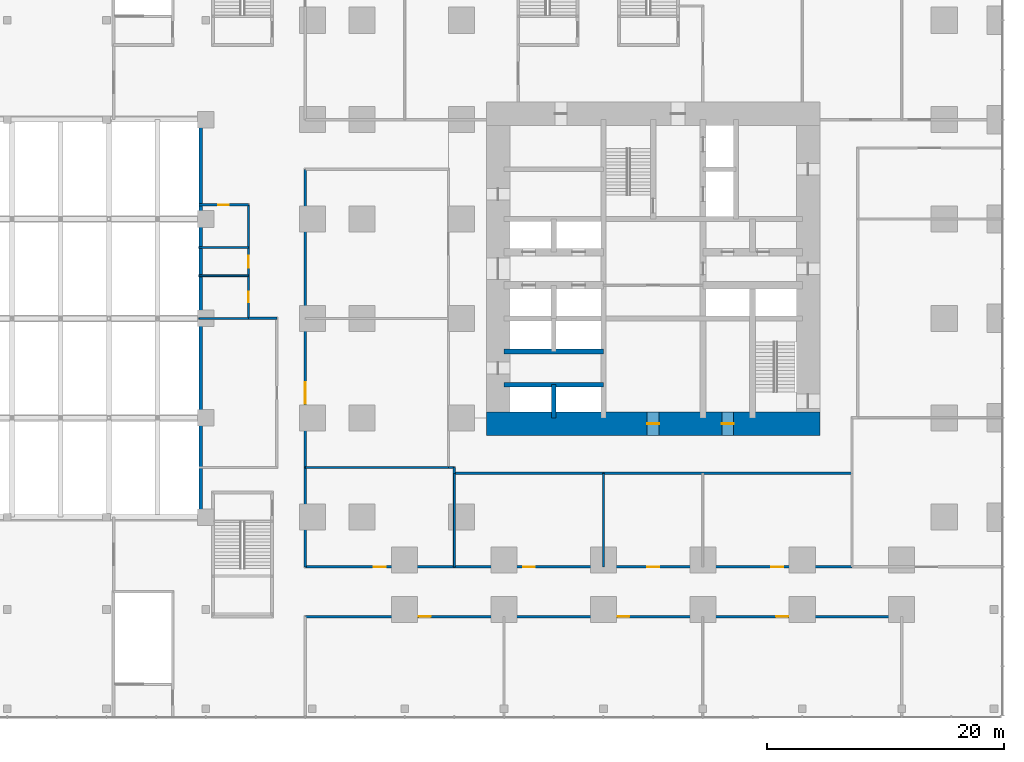
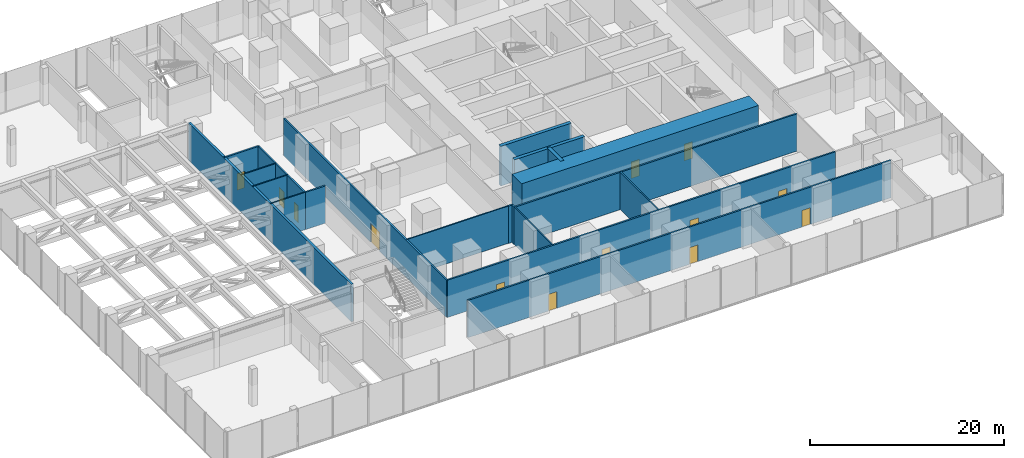
# One storey, part 26 of 33: 20 walls, 13 doors, 13 openings.
"""IFC4 building model written with IfcOpenShell, lengths in metres."""

import ifcopenshell
import ifcopenshell.guid

model = None  # the IFC model being written
_history = None  # IfcOwnerHistory: only IFC2X3 demands one
_inside = {}  # id of a spatial element -> (the spatial element, [elements in it])
_under = {}  # id of a project, library or spatial element -> (it, [spatial elements below it])
_declared = {}  # id of a project -> (the project, [libraries it declares])
_typed = {}  # id of a type object -> (the type object, [elements of that type])
_made_of = {}  # id of a material, layer set ... -> (it, [elements and type objects made of it])


def new_model(schema):
    """Start an empty IFC model of exactly this schema.

    Asked for "IFC4X3", IfcOpenShell would pick the latest addendum, in which some entities
    have other attributes; the version numbers below select the first issue.
    IFC2X3 requires an IfcOwnerHistory on every rooted entity: one is made here for all.
    """
    global model, _history
    if schema == "IFC4X3":
        model = ifcopenshell.file(schema_version=(4, 3, 0, 0))
    else:
        model = ifcopenshell.file(schema=schema)
    _inside.clear()
    _under.clear()
    _declared.clear()
    _typed.clear()
    _made_of.clear()
    _history = None
    if model.schema == "IFC2X3":
        org = make("IfcOrganization", Name="unknown")
        user = make(
            "IfcPersonAndOrganization",
            ThePerson=make("IfcPerson", FamilyName="unknown"),
            TheOrganization=org,
        )
        app = make(
            "IfcApplication",
            ApplicationDeveloper=org,
            Version="unknown",
            ApplicationFullName="unknown",
            ApplicationIdentifier="unknown",
        )
        _history = make(
            "IfcOwnerHistory",
            OwningUser=user,
            OwningApplication=app,
            ChangeAction="ADDED",
            CreationDate=0,
        )
    return model


def make(cls, **values):
    """One entity of the class cls with the attributes given. An attribute that is None is left unset."""
    return model.create_entity(
        cls, **{name: value for name, value in values.items() if value is not None}
    )


def rooted(cls, **values):
    """An entity with a GlobalId (a new one), such as an element, a storey or a relation."""
    return make(cls, GlobalId=ifcopenshell.guid.new(), OwnerHistory=_history, **values)


def si_unit(unit_type, name, prefix=None):
    """IfcSIUnit, for example si_unit("LENGTHUNIT", "METRE", prefix="MILLI")."""
    return make("IfcSIUnit", UnitType=unit_type, Prefix=prefix, Name=name)


def assignment(units):
    """IfcUnitAssignment: the units of a project."""
    return None if units is None else make("IfcUnitAssignment", Units=units)


def point(xyz):
    """IfcCartesianPoint."""
    return None if xyz is None else make("IfcCartesianPoint", Coordinates=xyz)


def direction(xyz):
    """IfcDirection."""
    return None if xyz is None else make("IfcDirection", DirectionRatios=xyz)


def frame(location, z_axis=None, x_axis=None):
    """IfcAxis2Placement3D, a coordinate frame: its origin and axes. An axis left out is left unset."""
    return make(
        "IfcAxis2Placement3D",
        Location=point(location),
        Axis=direction(z_axis),
        RefDirection=direction(x_axis),
    )


def frame_2d(location, x_axis=None):
    """IfcAxis2Placement2D, a coordinate frame in the plane: its origin and x axis."""
    return make(
        "IfcAxis2Placement2D", Location=point(location), RefDirection=direction(x_axis)
    )


def origin():
    """The frame at (0, 0, 0) with its axes left unset."""
    return frame((0.0, 0.0, 0.0))


def origin_with_axes():
    """The frame at (0, 0, 0) with the z axis (0, 0, 1) and the x axis (1, 0, 0) written out."""
    return frame((0.0, 0.0, 0.0), z_axis=(0.0, 0.0, 1.0), x_axis=(1.0, 0.0, 0.0))


def place(relative_to, where):
    """IfcLocalPlacement: puts the frame where relative to a parent placement (None: the world)."""
    return make(
        "IfcLocalPlacement", PlacementRelTo=relative_to, RelativePlacement=where
    )


def context(
    kind, dimensions, precision=None, world=None, true_north=None, identifier=None
):
    """IfcGeometricRepresentationContext, for example the 3D "Model" context."""
    return make(
        "IfcGeometricRepresentationContext",
        ContextIdentifier=identifier,
        ContextType=kind,
        CoordinateSpaceDimension=dimensions,
        Precision=precision,
        WorldCoordinateSystem=world,
        TrueNorth=true_north,
    )


def subcontext(parent, identifier, kind, view, scale=None):
    """IfcGeometricRepresentationSubContext, for example "Body" below "Model"."""
    return make(
        "IfcGeometricRepresentationSubContext",
        ContextIdentifier=identifier,
        ContextType=kind,
        ParentContext=parent,
        TargetScale=scale,
        TargetView=view,
    )


def project(units=None, contexts=None):
    """IfcProject with its units and contexts."""
    return rooted(
        "IfcProject",
        Name="project",
        RepresentationContexts=contexts,
        UnitsInContext=assignment(units),
    )


def spatial(cls, under=None, at=None, **own):
    """A site, building, storey or space (cls), placed at a placement, below another one or the project."""
    s = rooted(cls, ObjectPlacement=at, **own)
    if under is not None:
        _under.setdefault(under.id(), (under, []))[1].append(s)
    return s


def profile(cls, at=None, kind="AREA", **sizes):
    """A parametric profile (cls). Its sizes go by their IFC names, for example OverallWidth=200.0."""
    return make(cls, ProfileType=kind, Position=at, **sizes)


def rectangle(**sizes):
    """IfcRectangleProfileDef."""
    return profile("IfcRectangleProfileDef", **sizes)


def extrude(swept, where, along, depth):
    """IfcExtrudedAreaSolid: the profile swept, set in the frame where, extruded along a direction by depth."""
    return make(
        "IfcExtrudedAreaSolid",
        SweptArea=swept,
        Position=where,
        ExtrudedDirection=direction(along),
        Depth=depth,
    )


def shape(context_of_items, identifier, shape_type, items):
    """IfcShapeRepresentation: the items that make up one representation, for example the "Body"."""
    return make(
        "IfcShapeRepresentation",
        ContextOfItems=context_of_items,
        RepresentationIdentifier=identifier,
        RepresentationType=shape_type,
        Items=items,
    )


def material(Name=None, Category=None):
    """IfcMaterial."""
    return make("IfcMaterial", Name=Name, Category=Category)


def layer(
    of_material, thickness, ventilated=None, Name=None, Category=None, Priority=None
):
    """IfcMaterialLayer: one layer of a wall or slab, of a material (None: an air gap)."""
    return make(
        "IfcMaterialLayer",
        Material=of_material,
        LayerThickness=thickness,
        IsVentilated=ventilated,
        Name=Name,
        Category=Category,
        Priority=Priority,
    )


def layer_set(layers, Name=None):
    """IfcMaterialLayerSet."""
    return make("IfcMaterialLayerSet", MaterialLayers=layers, LayerSetName=Name)


def made_of(thing, what):
    """Note that an element or type object is made of a material, layer set ...; save() writes the relation."""
    if what is not None:
        _made_of.setdefault(what.id(), (what, []))[1].append(thing)
    return thing


def type_object(cls, material=None, **own):
    """A type object (cls), such as IfcWallType, which elements share."""
    return made_of(rooted(cls, **own), material)


def element(
    cls,
    number,
    at=None,
    inside=None,
    cuts=None,
    type_object=None,
    material=None,
    context=None,
    identifier="Body",
    shape_type=None,
    held_by="IfcProductDefinitionShape",
    body=None,
    shapes=None,
    **own,
):
    """One element of the class cls, such as IfcWall. Its Tag is "e" and its number.

    at: its placement. inside: the storey or other place that contains it. cuts: it is an
    opening in that element (IfcRelVoidsElement). A single representation is given by context,
    identifier, shape_type and body (its items); several are given by shapes. held_by: the class
    of the entity that holds the representations. save() writes the other relations.
    """
    e = rooted(cls, Tag="e%d" % number, ObjectPlacement=at, **own)
    if body is not None:
        shapes = [shape(context, identifier, shape_type, body)]
    if shapes is not None:
        e.Representation = make(held_by, Representations=shapes)
    if inside is not None:
        _inside.setdefault(inside.id(), (inside, []))[1].append(e)
    if cuts is not None:
        rooted(
            "IfcRelVoidsElement", RelatingBuildingElement=cuts, RelatedOpeningElement=e
        )
    if type_object is not None:
        _typed.setdefault(type_object.id(), (type_object, []))[1].append(e)
    return made_of(e, material)


def fill(opening, filler):
    """IfcRelFillsElement: the door or window that sits in an opening."""
    return rooted(
        "IfcRelFillsElement",
        RelatingOpeningElement=opening,
        RelatedBuildingElement=filler,
    )


def aggregate(whole, parts):
    """IfcRelAggregates: a whole, such as a stair, and the parts it consists of."""
    return rooted("IfcRelAggregates", RelatingObject=whole, RelatedObjects=parts)


def save(model, path):
    """Write the relations noted so far, then the file.

    IfcRelAggregates (storeys below a building ...), IfcRelContainedInSpatialStructure (elements
    in a storey), IfcRelDefinesByType, IfcRelAssociatesMaterial and IfcRelDeclares: one each for
    every whole, place, type object, material and project.
    """
    for whole, parts in _under.values():
        aggregate(whole, parts)
    for where, things in _inside.values():
        rooted(
            "IfcRelContainedInSpatialStructure",
            RelatedElements=things,
            RelatingStructure=where,
        )
    for kind, things in _typed.values():
        rooted("IfcRelDefinesByType", RelatedObjects=things, RelatingType=kind)
    for what, things in _made_of.values():
        rooted("IfcRelAssociatesMaterial", RelatedObjects=things, RelatingMaterial=what)
    for by, libraries in _declared.values():
        rooted("IfcRelDeclares", RelatingContext=by, RelatedDefinitions=libraries)
    model.write(path)


model = new_model("IFC4")

# Units and contexts
model_context = context("Model", 3, precision=1e-05, world=origin(), true_north=direction((0.0, 1.0)))
body_context = subcontext(model_context, "Body", "Model", "MODEL_VIEW")
ifc_project = project(units=[si_unit("LENGTHUNIT", "METRE"), si_unit("AREAUNIT", "SQUARE_METRE"), si_unit("VOLUMEUNIT", "CUBIC_METRE"), si_unit("PLANEANGLEUNIT", "RADIAN"), si_unit("MASSUNIT", "GRAM", prefix="KILO")], contexts=[model_context])

# Site, building, storey
site_placement = place(None, origin())
site = spatial("IfcSite", under=ifc_project, at=site_placement, CompositionType="ELEMENT")
building_placement = place(site_placement, origin())
building = spatial("IfcBuilding", under=site, at=building_placement, Name="Dunama Terrace Hotel", CompositionType="ELEMENT")
storey_placement = place(building_placement, frame((0.0, 0.0, 12.0)))
storey = spatial("IfcBuildingStorey", under=building, at=storey_placement, Name="L02", CompositionType="ELEMENT", Elevation=12.0)

# Walls
ifc_material_1 = material(Name="Concrete blockwork", Category="masonry")
ifc_layer_1 = layer(ifc_material_1, 0.300048828125)
ifc_layer_set_1 = layer_set([ifc_layer_1], Name="Ballroom enclosure wall 300")
wall_type_1 = type_object("IfcWallType", Name="Ballroom enclosure wall 300", PredefinedType="PARTITIONING", material=ifc_layer_set_1)
wall_1_placement = place(storey_placement, frame((-8.85009765625, 42.0, 0.0), z_axis=(0.0, 0.0, 1.0), x_axis=(0.0, -1.0, 0.0)))
element("IfcWall", 1, at=wall_1_placement, inside=storey, type_object=wall_type_1, Name="Ballroom enclosure wall", PredefinedType="PARTITIONING", context=body_context, shape_type="SweptSolid", body=[
    extrude(rectangle(XDim=33.60009765625, YDim=0.300048828125, at=frame_2d((16.800048828125, 0.0))), origin(), (0.0, 0.0, 1.0), 4.699951171875),
])
ifc_material_2 = material(Name="Concrete C50/60", Category="concrete")
ifc_layer_2 = layer(ifc_material_2, 0.39990234375)
ifc_layer_set_2 = layer_set([ifc_layer_2], Name="Core inner wall 400")
wall_type_2 = type_object("IfcWallType", Name="Core inner wall 400", PredefinedType="SHEAR", material=ifc_layer_set_2)
wall_2_placement = place(storey_placement, frame((21.0, 16.800048828125, -0.300048828125), z_axis=(0.0, 0.0, 1.0), x_axis=(0.0, 1.0, 0.0)))
element("IfcWall", 2, at=wall_2_placement, inside=storey, type_object=wall_type_2, Name="Core inner wall 400 L02", PredefinedType="SHEAR", context=body_context, shape_type="SweptSolid", body=[
    extrude(rectangle(XDim=2.800048828125, YDim=0.39990234375, at=frame_2d((1.39990234375, 0.0))), origin(), (0.0, 0.0, 1.0), 5.0),
])
for number, where, z_axis, x_axis, name in (
    (3, (16.800048828125, 19.60009765625, -0.300048828125), (0.0, 0.0, 1.0), (1.0, 0.0, 0.0), "Core inner wall 400 L02"),
    (4, (16.800048828125, 22.39990234375, -0.300048828125), (0.0, 0.0, 1.0), (1.0, 0.0, 0.0), "Core inner wall 400 L02"),
):
    element("IfcWall", number, at=place(storey_placement, frame(where, z_axis=z_axis, x_axis=x_axis)), inside=storey, type_object=wall_type_2, Name=name, PredefinedType="SHEAR", context=body_context, shape_type="SweptSolid", body=[
        extrude(rectangle(XDim=8.39990234375, YDim=0.39990234375, at=frame_2d((4.199951171875, 0.0))), origin(), (0.0, 0.0, 1.0), 5.0),
    ])

# Wall, openings, doors
ifc_material_3 = material(Name="Concrete C60/75", Category="concrete")
ifc_layer_3 = layer(ifc_material_3, 2.0)
ifc_layer_set_3 = layer_set([ifc_layer_3], Name="Core wall 2000")
wall_type_3 = type_object("IfcWallType", Name="Core wall 2000", PredefinedType="SHEAR", material=ifc_layer_set_3)
wall_3_placement = place(storey_placement, frame((15.300048828125, 16.300048828125, -0.300048828125), z_axis=(0.0, 0.0, 1.0), x_axis=(1.0, 0.0, 0.0)))
wall_3 = element("IfcWall", 5, at=wall_3_placement, inside=storey, type_object=wall_type_3, Name="Core wall south L02", PredefinedType="SHEAR", context=body_context, shape_type="SweptSolid", body=[
    extrude(rectangle(XDim=28.199951171875, YDim=2.0, at=frame_2d((14.10009765625, 0.0))), origin(), (0.0, 0.0, 1.0), 5.0),
])
opening_1_placement = place(wall_3_placement, frame((13.60009765625, 0.0, 0.300048828125)))
opening_1 = element("IfcOpeningElement", 6, at=opening_1_placement, cuts=wall_3, Name="Opening L02-026", PredefinedType="OPENING", context=body_context, shape_type="SweptSolid", body=[
    extrude(rectangle(XDim=1.0, YDim=2.10009765625, at=frame_2d((0.5, 1.050048828125))), frame((0.0, 1.010009765625, 0.0), z_axis=(0.0, -1.0, 0.0), x_axis=(1.0, 0.0, 0.0)), (0.0, 0.0, 1.0), 2.02001953125),
])
opening_2_placement = place(wall_3_placement, frame((19.89990234375, 0.0, 0.300048828125)))
opening_2 = element("IfcOpeningElement", 7, at=opening_2_placement, cuts=wall_3, Name="Opening L02-027", PredefinedType="OPENING", context=body_context, shape_type="SweptSolid", body=[
    extrude(rectangle(XDim=1.0, YDim=2.10009765625, at=frame_2d((0.5, 1.050048828125))), frame((0.0, 1.010009765625, 0.0), z_axis=(0.0, -1.0, 0.0), x_axis=(1.0, 0.0, 0.0)), (0.0, 0.0, 1.0), 2.02001953125),
])
ifc_material_4 = material(Name="Timber door with steel frame", Category="steel")
door_type_1 = type_object("IfcDoorType", Name="Service door 1000", OperationType="SINGLE_SWING_LEFT", PredefinedType="DOOR", material=ifc_material_4)
door_1_placement = place(opening_1_placement, origin())
door_1 = element("IfcDoor", 8, at=door_1_placement, inside=storey, type_object=door_type_1, Name="Door to floor air handling room L02-026, type D7", OperationType="SINGLE_SWING_RIGHT", OverallHeight=2.10009765625, OverallWidth=1.0, PredefinedType="DOOR", context=body_context, shape_type="SweptSolid", body=[
    extrude(rectangle(XDim=1.0, YDim=2.10009765625, at=frame_2d((0.5, 1.050048828125))), frame((0.0, 0.02490234375, 0.0), z_axis=(0.0, -1.0, 0.0), x_axis=(1.0, 0.0, 0.0)), (0.0, 0.0, 1.0), 0.050048828125),
])
fill(opening_1, door_1)
door_2_placement = place(opening_2_placement, origin())
door_2 = element("IfcDoor", 9, at=door_2_placement, inside=storey, type_object=door_type_1, Name="Door to water riser room L02-027, type D7", OperationType="SINGLE_SWING_RIGHT", OverallHeight=2.10009765625, OverallWidth=1.0, PredefinedType="DOOR", context=body_context, shape_type="SweptSolid", body=[
    extrude(rectangle(XDim=1.0, YDim=2.10009765625, at=frame_2d((0.5, 1.050048828125))), frame((0.0, 0.02490234375, 0.0), z_axis=(0.0, -1.0, 0.0), x_axis=(1.0, 0.0, 0.0)), (0.0, 0.0, 1.0), 0.050048828125),
])
fill(opening_2, door_2)

ifc_material_5 = material(Name="Concrete blockwork", Category="masonry")
ifc_layer_4 = layer(ifc_material_5, 0.199951171875)
ifc_layer_set_4 = layer_set([ifc_layer_4], Name="Corridor partition 200")
wall_type_4 = type_object("IfcWallType", Name="Corridor partition 200", PredefinedType="PARTITIONING", material=ifc_layer_set_4)
wall_4_placement = place(storey_placement, frame((-4.800048828125, 25.199951171875, 0.0), z_axis=(0.0, 0.0, 1.0), x_axis=(0.0, 1.0, 0.0)))
wall_4 = element("IfcWall", 10, at=wall_4_placement, inside=storey, type_object=wall_type_4, Name="Corridor partition 200 L02", PredefinedType="PARTITIONING", context=body_context, shape_type="SweptSolid", body=[
    extrude(rectangle(XDim=9.60009765625, YDim=0.199951171875, at=frame_2d((4.800048828125, 0.0))), origin(), (0.0, 0.0, 1.0), 4.699951171875),
])
opening_3_placement = place(wall_4_placement, frame((1.35009765625, 0.0, 0.0)))
opening_3 = element("IfcOpeningElement", 11, at=opening_3_placement, cuts=wall_4, Name="Opening L02-039", PredefinedType="OPENING", context=body_context, shape_type="SweptSolid", body=[
    extrude(rectangle(XDim=0.89990234375, YDim=2.10009765625, at=frame_2d((0.449951171875, 1.050048828125))), frame((0.0, 0.10986328125, 0.0), z_axis=(0.0, -1.0, 0.0), x_axis=(1.0, 0.0, 0.0)), (0.0, 0.0, 1.0), 0.219970703125),
])
opening_4_placement = place(wall_4_placement, frame((4.300048828125, 0.0, 0.0)))
opening_4 = element("IfcOpeningElement", 12, at=opening_4_placement, cuts=wall_4, Name="Opening L02-040", PredefinedType="OPENING", context=body_context, shape_type="SweptSolid", body=[
    extrude(rectangle(XDim=1.0, YDim=2.10009765625, at=frame_2d((0.5, 1.050048828125))), frame((0.0, 0.10986328125, 0.0), z_axis=(0.0, -1.0, 0.0), x_axis=(1.0, 0.0, 0.0)), (0.0, 0.0, 1.0), 0.219970703125),
])
ifc_material_6 = material(Name="Timber door with steel frame", Category="steel")
door_type_2 = type_object("IfcDoorType", Name="Accessible room door 1000", OperationType="SINGLE_SWING_LEFT", PredefinedType="DOOR", material=ifc_material_6)
door_3_placement = place(opening_4_placement, origin())
door_3 = element("IfcDoor", 13, at=door_3_placement, inside=storey, type_object=door_type_2, Name="Door to accessible wc L02-040, type D17", OperationType="SINGLE_SWING_LEFT", OverallHeight=2.10009765625, OverallWidth=1.0, PredefinedType="DOOR", context=body_context, shape_type="SweptSolid", body=[
    extrude(rectangle(XDim=1.0, YDim=2.10009765625, at=frame_2d((0.5, 1.050048828125))), frame((0.0, 0.02490234375, 0.0), z_axis=(0.0, -1.0, 0.0), x_axis=(1.0, 0.0, 0.0)), (0.0, 0.0, 1.0), 0.050048828125),
])
fill(opening_4, door_3)
ifc_material_7 = material(Name="Timber door with steel frame", Category="steel")
door_type_3 = type_object("IfcDoorType", Name="WC door 900", OperationType="SINGLE_SWING_LEFT", PredefinedType="DOOR", material=ifc_material_7)
door_4_placement = place(opening_3_placement, origin())
door_4 = element("IfcDoor", 14, at=door_4_placement, inside=storey, type_object=door_type_3, Name="Door to male wc L02-039, type D6", OperationType="SINGLE_SWING_LEFT", OverallHeight=2.10009765625, OverallWidth=0.89990234375, PredefinedType="DOOR", context=body_context, shape_type="SweptSolid", body=[
    extrude(rectangle(XDim=0.89990234375, YDim=2.10009765625, at=frame_2d((0.449951171875, 1.050048828125))), frame((0.0, 0.02490234375, 0.0), z_axis=(0.0, -1.0, 0.0), x_axis=(1.0, 0.0, 0.0)), (0.0, 0.0, 1.0), 0.050048828125),
])
fill(opening_3, door_4)

# Wall, opening, door
wall_5_placement = place(storey_placement, frame((0.0, 4.199951171875, 0.0), z_axis=(0.0, 0.0, 1.0), x_axis=(0.0, 1.0, 0.0)))
wall_5 = element("IfcWall", 15, at=wall_5_placement, inside=storey, type_object=wall_type_4, Name="Corridor partition 200 L02", PredefinedType="PARTITIONING", context=body_context, shape_type="SweptSolid", body=[
    extrude(rectangle(XDim=33.60009765625, YDim=0.199951171875, at=frame_2d((16.800048828125, 0.0))), origin(), (0.0, 0.0, 1.0), 4.699951171875),
])
opening_5_placement = place(wall_5_placement, frame((13.800048828125, 0.0, 0.0)))
opening_5 = element("IfcOpeningElement", 16, at=opening_5_placement, cuts=wall_5, Name="Opening L02-042", PredefinedType="OPENING", context=body_context, shape_type="SweptSolid", body=[
    extrude(rectangle(XDim=1.800048828125, YDim=2.39990234375, at=frame_2d((0.89990234375, 1.199951171875))), frame((0.0, 0.10986328125, 0.0), z_axis=(0.0, -1.0, 0.0), x_axis=(1.0, 0.0, 0.0)), (0.0, 0.0, 1.0), 0.219970703125),
])
ifc_material_8 = material(Name="Aluminium-framed glazed door", Category="aluminium")
door_type_4 = type_object("IfcDoorType", Name="Glazed double door 1800", OperationType="DOUBLE_DOOR_DOUBLE_SWING", PredefinedType="DOOR", material=ifc_material_8)
door_5_placement = place(opening_5_placement, origin())
door_5 = element("IfcDoor", 17, at=door_5_placement, inside=storey, type_object=door_type_4, Name="Door to meeting room 11 L02-042, type D8", OperationType="DOUBLE_DOOR_DOUBLE_SWING", OverallHeight=2.39990234375, OverallWidth=1.800048828125, PredefinedType="DOOR", context=body_context, shape_type="SweptSolid", body=[
    extrude(rectangle(XDim=1.800048828125, YDim=2.39990234375, at=frame_2d((0.89990234375, 1.199951171875))), frame((0.0, 0.02490234375, 0.0), z_axis=(0.0, -1.0, 0.0), x_axis=(1.0, 0.0, 0.0)), (0.0, 0.0, 1.0), 0.050048828125),
])
fill(opening_5, door_5)

# Wall
wall_6_placement = place(storey_placement, frame((12.60009765625, 12.10009765625, 0.0), z_axis=(0.0, 0.0, 1.0), x_axis=(0.0, 1.0, 0.0)))
element("IfcWall", 18, at=wall_6_placement, inside=storey, type_object=wall_type_4, Name="Corridor partition 200 L02", PredefinedType="PARTITIONING", context=body_context, shape_type="SweptSolid", body=[
    extrude(rectangle(XDim=0.5, YDim=0.199951171875, at=frame_2d((0.25, 0.0))), origin(), (0.0, 0.0, 1.0), 4.699951171875),
])

# Wall, openings, doors
wall_7_placement = place(storey_placement, origin_with_axes())
wall_7 = element("IfcWall", 19, at=wall_7_placement, inside=storey, type_object=wall_type_4, Name="Corridor partition 200 L02", PredefinedType="PARTITIONING", context=body_context, shape_type="SweptSolid", body=[
    extrude(rectangle(XDim=50.39990234375, YDim=0.199951171875, at=frame_2d((25.199951171875, 0.0))), origin(), (0.0, 0.0, 1.0), 4.699951171875),
])
opening_6_placement = place(wall_7_placement, frame((9.60009765625, 0.0, 0.0)))
opening_6 = element("IfcOpeningElement", 20, at=opening_6_placement, cuts=wall_7, Name="Opening L02-036", PredefinedType="OPENING", context=body_context, shape_type="SweptSolid", body=[
    extrude(rectangle(XDim=1.0, YDim=2.10009765625, at=frame_2d((0.5, 1.050048828125))), frame((0.0, 0.10986328125, 0.0), z_axis=(0.0, -1.0, 0.0), x_axis=(1.0, 0.0, 0.0)), (0.0, 0.0, 1.0), 0.219970703125),
])
opening_7_placement = place(wall_7_placement, frame((26.39990234375, 0.0, 0.0)))
opening_7 = element("IfcOpeningElement", 21, at=opening_7_placement, cuts=wall_7, Name="Opening L02-037", PredefinedType="OPENING", context=body_context, shape_type="SweptSolid", body=[
    extrude(rectangle(XDim=1.0, YDim=2.10009765625, at=frame_2d((0.5, 1.050048828125))), frame((0.0, 0.10986328125, 0.0), z_axis=(0.0, -1.0, 0.0), x_axis=(1.0, 0.0, 0.0)), (0.0, 0.0, 1.0), 0.219970703125),
])
opening_8_placement = place(wall_7_placement, frame((39.800048828125, 0.0, 0.0)))
opening_8 = element("IfcOpeningElement", 22, at=opening_8_placement, cuts=wall_7, Name="Opening L02-038", PredefinedType="OPENING", context=body_context, shape_type="SweptSolid", body=[
    extrude(rectangle(XDim=1.0, YDim=2.10009765625, at=frame_2d((0.5, 1.050048828125))), frame((0.0, 0.10986328125, 0.0), z_axis=(0.0, -1.0, 0.0), x_axis=(1.0, 0.0, 0.0)), (0.0, 0.0, 1.0), 0.219970703125),
])
door_6_placement = place(opening_6_placement, frame((1.0, 0.0, 0.0), z_axis=(0.0, 0.0, 1.0), x_axis=(-1.0, 0.0, 0.0)))
door_6 = element("IfcDoor", 23, at=door_6_placement, inside=storey, type_object=door_type_1, Name="Door to executive offices L02-036, type D7", OperationType="SINGLE_SWING_RIGHT", OverallHeight=2.10009765625, OverallWidth=1.0, PredefinedType="DOOR", context=body_context, shape_type="SweptSolid", body=[
    extrude(rectangle(XDim=1.0, YDim=2.10009765625, at=frame_2d((0.5, 1.050048828125))), frame((0.0, 0.025146484375, 0.0), z_axis=(0.0, -1.0, 0.0), x_axis=(1.0, 0.0, 0.0)), (0.0, 0.0, 1.0), 0.050048828125),
])
fill(opening_6, door_6)
door_7_placement = place(opening_7_placement, frame((1.0, 0.0, 0.0), z_axis=(0.0, 0.0, 1.0), x_axis=(-1.0, 0.0, 0.0)))
door_7 = element("IfcDoor", 24, at=door_7_placement, inside=storey, type_object=door_type_1, Name="Door to human resources office L02-037, type D7", OperationType="SINGLE_SWING_RIGHT", OverallHeight=2.10009765625, OverallWidth=1.0, PredefinedType="DOOR", context=body_context, shape_type="SweptSolid", body=[
    extrude(rectangle(XDim=1.0, YDim=2.10009765625, at=frame_2d((0.5, 1.050048828125))), frame((0.0, 0.025146484375, 0.0), z_axis=(0.0, -1.0, 0.0), x_axis=(1.0, 0.0, 0.0)), (0.0, 0.0, 1.0), 0.050048828125),
])
fill(opening_7, door_7)
door_8_placement = place(opening_8_placement, origin())
door_8 = element("IfcDoor", 25, at=door_8_placement, inside=storey, type_object=door_type_1, Name="Door to business centre L02-038, type D7", OperationType="SINGLE_SWING_RIGHT", OverallHeight=2.10009765625, OverallWidth=1.0, PredefinedType="DOOR", context=body_context, shape_type="SweptSolid", body=[
    extrude(rectangle(XDim=1.0, YDim=2.10009765625, at=frame_2d((0.5, 1.050048828125))), frame((0.0, 0.02490234375, 0.0), z_axis=(0.0, -1.0, 0.0), x_axis=(1.0, 0.0, 0.0)), (0.0, 0.0, 1.0), 0.050048828125),
])
fill(opening_8, door_8)

wall_8_placement = place(storey_placement, frame((0.0, 4.199951171875, 0.0), z_axis=(0.0, 0.0, 1.0), x_axis=(1.0, 0.0, 0.0)))
wall_8 = element("IfcWall", 26, at=wall_8_placement, inside=storey, type_object=wall_type_4, Name="Corridor partition 200 L02", PredefinedType="PARTITIONING", context=body_context, shape_type="SweptSolid", body=[
    extrude(rectangle(XDim=46.199951171875, YDim=0.199951171875, at=frame_2d((23.10009765625, 0.0))), origin(), (0.0, 0.0, 1.0), 4.699951171875),
])
opening_9_placement = place(wall_8_placement, frame((5.800048828125, 0.0, 0.0)))
opening_9 = element("IfcOpeningElement", 27, at=opening_9_placement, cuts=wall_8, Name="Opening L02-045", PredefinedType="OPENING", context=body_context, shape_type="SweptSolid", body=[
    extrude(rectangle(XDim=1.0, YDim=2.10009765625, at=frame_2d((0.5, 1.050048828125))), frame((0.0, 0.10986328125, 0.0), z_axis=(0.0, -1.0, 0.0), x_axis=(1.0, 0.0, 0.0)), (0.0, 0.0, 1.0), 0.219970703125),
])
opening_10_placement = place(wall_8_placement, frame((18.39990234375, 0.0, 0.0)))
opening_10 = element("IfcOpeningElement", 28, at=opening_10_placement, cuts=wall_8, Name="Opening L02-046", PredefinedType="OPENING", context=body_context, shape_type="SweptSolid", body=[
    extrude(rectangle(XDim=1.0, YDim=2.10009765625, at=frame_2d((0.5, 1.050048828125))), frame((0.0, 0.10986328125, 0.0), z_axis=(0.0, -1.0, 0.0), x_axis=(1.0, 0.0, 0.0)), (0.0, 0.0, 1.0), 0.219970703125),
])
opening_11_placement = place(wall_8_placement, frame((28.89990234375, 0.0, 0.0)))
opening_11 = element("IfcOpeningElement", 29, at=opening_11_placement, cuts=wall_8, Name="Opening L02-047", PredefinedType="OPENING", context=body_context, shape_type="SweptSolid", body=[
    extrude(rectangle(XDim=1.0, YDim=2.10009765625, at=frame_2d((0.5, 1.050048828125))), frame((0.0, 0.10986328125, 0.0), z_axis=(0.0, -1.0, 0.0), x_axis=(1.0, 0.0, 0.0)), (0.0, 0.0, 1.0), 0.219970703125),
])
opening_12_placement = place(wall_8_placement, frame((39.39990234375, 0.0, 0.0)))
opening_12 = element("IfcOpeningElement", 30, at=opening_12_placement, cuts=wall_8, Name="Opening L02-048", PredefinedType="OPENING", context=body_context, shape_type="SweptSolid", body=[
    extrude(rectangle(XDim=1.0, YDim=2.10009765625, at=frame_2d((0.5, 1.050048828125))), frame((0.0, 0.10986328125, 0.0), z_axis=(0.0, -1.0, 0.0), x_axis=(1.0, 0.0, 0.0)), (0.0, 0.0, 1.0), 0.219970703125),
])
door_9_placement = place(opening_9_placement, origin())
door_9 = element("IfcDoor", 31, at=door_9_placement, inside=storey, type_object=door_type_1, Name="Door to secretarial services office L02-045, type D7", OperationType="SINGLE_SWING_RIGHT", OverallHeight=2.10009765625, OverallWidth=1.0, PredefinedType="DOOR", context=body_context, shape_type="SweptSolid", body=[
    extrude(rectangle(XDim=1.0, YDim=2.10009765625, at=frame_2d((0.5, 1.050048828125))), frame((0.0, 0.02490234375, 0.0), z_axis=(0.0, -1.0, 0.0), x_axis=(1.0, 0.0, 0.0)), (0.0, 0.0, 1.0), 0.050048828125),
])
fill(opening_9, door_9)
door_10_placement = place(opening_10_placement, origin())
door_10 = element("IfcDoor", 32, at=door_10_placement, inside=storey, type_object=door_type_1, Name="Door to sales and marketing office L02-046, type D7", OperationType="SINGLE_SWING_LEFT", OverallHeight=2.10009765625, OverallWidth=1.0, PredefinedType="DOOR", context=body_context, shape_type="SweptSolid", body=[
    extrude(rectangle(XDim=1.0, YDim=2.10009765625, at=frame_2d((0.5, 1.050048828125))), frame((0.0, 0.02490234375, 0.0), z_axis=(0.0, -1.0, 0.0), x_axis=(1.0, 0.0, 0.0)), (0.0, 0.0, 1.0), 0.050048828125),
])
fill(opening_10, door_10)
door_11_placement = place(opening_11_placement, origin())
door_11 = element("IfcDoor", 33, at=door_11_placement, inside=storey, type_object=door_type_1, Name="Door to finance office L02-047, type D7", OperationType="SINGLE_SWING_LEFT", OverallHeight=2.10009765625, OverallWidth=1.0, PredefinedType="DOOR", context=body_context, shape_type="SweptSolid", body=[
    extrude(rectangle(XDim=1.0, YDim=2.10009765625, at=frame_2d((0.5, 1.050048828125))), frame((0.0, 0.02490234375, 0.0), z_axis=(0.0, -1.0, 0.0), x_axis=(1.0, 0.0, 0.0)), (0.0, 0.0, 1.0), 0.050048828125),
])
fill(opening_11, door_11)
door_12_placement = place(opening_12_placement, origin())
door_12 = element("IfcDoor", 34, at=door_12_placement, inside=storey, type_object=door_type_1, Name="Door to revenue management office L02-048, type D7", OperationType="SINGLE_SWING_RIGHT", OverallHeight=2.10009765625, OverallWidth=1.0, PredefinedType="DOOR", context=body_context, shape_type="SweptSolid", body=[
    extrude(rectangle(XDim=1.0, YDim=2.10009765625, at=frame_2d((0.5, 1.050048828125))), frame((0.0, 0.02490234375, 0.0), z_axis=(0.0, -1.0, 0.0), x_axis=(1.0, 0.0, 0.0)), (0.0, 0.0, 1.0), 0.050048828125),
])
fill(opening_12, door_12)

# Walls
wall_9_placement = place(storey_placement, frame((12.60009765625, 12.10009765625, 0.0), z_axis=(0.0, 0.0, 1.0), x_axis=(1.0, 0.0, 0.0)))
element("IfcWall", 35, at=wall_9_placement, inside=storey, type_object=wall_type_4, Name="Corridor partition 200 L02", PredefinedType="PARTITIONING", context=body_context, shape_type="SweptSolid", body=[
    extrude(rectangle(XDim=33.599853515625, YDim=0.199951171875, at=frame_2d((16.7998046875, 0.0))), origin(), (0.0, 0.0, 1.0), 4.699951171875),
])
wall_10_placement = place(storey_placement, frame((12.10009765625, 12.60009765625, 0.0), z_axis=(0.0, 0.0, 1.0), x_axis=(1.0, 0.0, 0.0)))
element("IfcWall", 36, at=wall_10_placement, inside=storey, type_object=wall_type_4, Name="Corridor partition 200 L02", PredefinedType="PARTITIONING", context=body_context, shape_type="SweptSolid", body=[
    extrude(rectangle(XDim=0.5, YDim=0.199951171875, at=frame_2d((0.25, 0.0))), origin(), (0.0, 0.0, 1.0), 4.699951171875),
])
wall_11_placement = place(storey_placement, frame((-4.800048828125, 25.199951171875, 0.0), z_axis=(0.0, 0.0, 1.0), x_axis=(1.0, 0.0, 0.0)))
element("IfcWall", 37, at=wall_11_placement, inside=storey, type_object=wall_type_4, Name="Corridor partition 200 L02", PredefinedType="PARTITIONING", context=body_context, shape_type="SweptSolid", body=[
    extrude(rectangle(XDim=2.400146484375, YDim=0.199951171875, at=frame_2d((1.2001953125, 0.0))), origin(), (0.0, 0.0, 1.0), 4.699951171875),
])

# Wall, opening, door
wall_12_placement = place(storey_placement, frame((-9.0, 34.800048828125, 0.0), z_axis=(0.0, 0.0, 1.0), x_axis=(1.0, 0.0, 0.0)))
wall_12 = element("IfcWall", 38, at=wall_12_placement, inside=storey, type_object=wall_type_4, Name="Corridor partition 200 L02", PredefinedType="PARTITIONING", context=body_context, shape_type="SweptSolid", body=[
    extrude(rectangle(XDim=4.199951171875, YDim=0.199951171875, at=frame_2d((2.10009765625, 0.0))), origin(), (0.0, 0.0, 1.0), 4.699951171875),
])
opening_13_placement = place(wall_12_placement, frame((1.64990234375, 0.0, 0.0)))
opening_13 = element("IfcOpeningElement", 39, at=opening_13_placement, cuts=wall_12, Name="Opening L02-041", PredefinedType="OPENING", context=body_context, shape_type="SweptSolid", body=[
    extrude(rectangle(XDim=0.89990234375, YDim=2.10009765625, at=frame_2d((0.449951171875, 1.050048828125))), frame((0.0, 0.10986328125, 0.0), z_axis=(0.0, -1.0, 0.0), x_axis=(1.0, 0.0, 0.0)), (0.0, 0.0, 1.0), 0.219970703125),
])
door_13_placement = place(opening_13_placement, frame((0.89990234375, 0.0, 0.0), z_axis=(0.0, 0.0, 1.0), x_axis=(-1.0, 0.0, 0.0)))
door_13 = element("IfcDoor", 40, at=door_13_placement, inside=storey, type_object=door_type_3, Name="Door to female wc L02-041, type D6", OperationType="SINGLE_SWING_RIGHT", OverallHeight=2.10009765625, OverallWidth=0.89990234375, PredefinedType="DOOR", context=body_context, shape_type="SweptSolid", body=[
    extrude(rectangle(XDim=0.89990234375, YDim=2.10009765625, at=frame_2d((0.449951171875, 1.050048828125))), frame((0.0, 0.025146484375, 0.0), z_axis=(0.0, -1.0, 0.0), x_axis=(1.0, 0.0, 0.0)), (0.0, 0.0, 1.0), 0.050048828125),
])
fill(opening_13, door_13)

# Walls
ifc_material_9 = material(Name="Gypsum board partition", Category="masonry")
ifc_layer_5 = layer(ifc_material_9, 0.14990234375)
ifc_layer_set_5 = layer_set([ifc_layer_5], Name="Room partition 150")
wall_type_5 = type_object("IfcWallType", Name="Room partition 150", PredefinedType="PARTITIONING", material=ifc_layer_set_5)
for number, where, z_axis, x_axis, name in (
    (41, (12.60009765625, 4.199951171875, 0.0), (0.0, 0.0, 1.0), (0.0, 1.0, 0.0), "Room partition 150 L02"),
    (42, (25.199951171875, 4.199951171875, 0.0), (0.0, 0.0, 1.0), (0.0, 1.0, 0.0), "Room partition 150 L02"),
):
    element("IfcWall", number, at=place(storey_placement, frame(where, z_axis=z_axis, x_axis=x_axis)), inside=storey, type_object=wall_type_5, Name=name, PredefinedType="PARTITIONING", context=body_context, shape_type="SweptSolid", body=[
        extrude(rectangle(XDim=7.900146484375, YDim=0.14990234375, at=frame_2d((3.9501953125, 0.0))), origin(), (0.0, 0.0, 1.0), 4.699951171875),
    ])
wall_13_placement = place(storey_placement, frame((0.0, 12.60009765625, 0.0), z_axis=(0.0, 0.0, 1.0), x_axis=(1.0, 0.0, 0.0)))
element("IfcWall", 43, at=wall_13_placement, inside=storey, type_object=wall_type_5, Name="Room partition 150 L02", PredefinedType="PARTITIONING", context=body_context, shape_type="SweptSolid", body=[
    extrude(rectangle(XDim=12.10009765625, YDim=0.14990234375, at=frame_2d((6.050048828125, 0.0))), origin(), (0.0, 0.0, 1.0), 4.699951171875),
])
for number, where, z_axis, x_axis, name in (
    (44, (-9.0, 25.199951171875, 0.0), (0.0, 0.0, 1.0), (1.0, 0.0, 0.0), "Room partition 150 L02"),
    (45, (-9.0, 28.800048828125, 0.0), (0.0, 0.0, 1.0), (1.0, 0.0, 0.0), "Room partition 150 L02"),
    (46, (-9.0, 31.199951171875, 0.0), (0.0, 0.0, 1.0), (1.0, 0.0, 0.0), "Room partition 150 L02"),
):
    element("IfcWall", number, at=place(storey_placement, frame(where, z_axis=z_axis, x_axis=x_axis)), inside=storey, type_object=wall_type_5, Name=name, PredefinedType="PARTITIONING", context=body_context, shape_type="SweptSolid", body=[
        extrude(rectangle(XDim=4.199951171875, YDim=0.14990234375, at=frame_2d((2.10009765625, 0.0))), origin(), (0.0, 0.0, 1.0), 4.699951171875),
    ])

save(model, "model.ifc")
